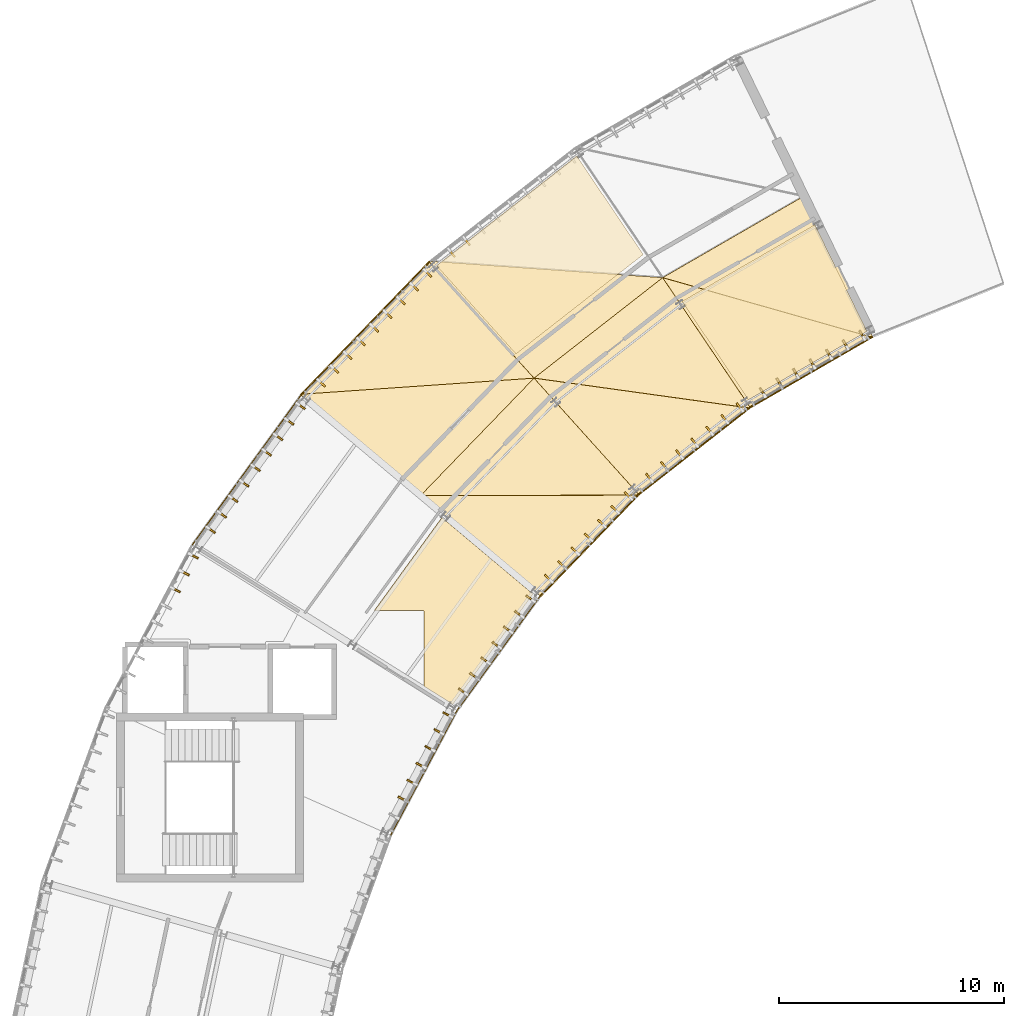
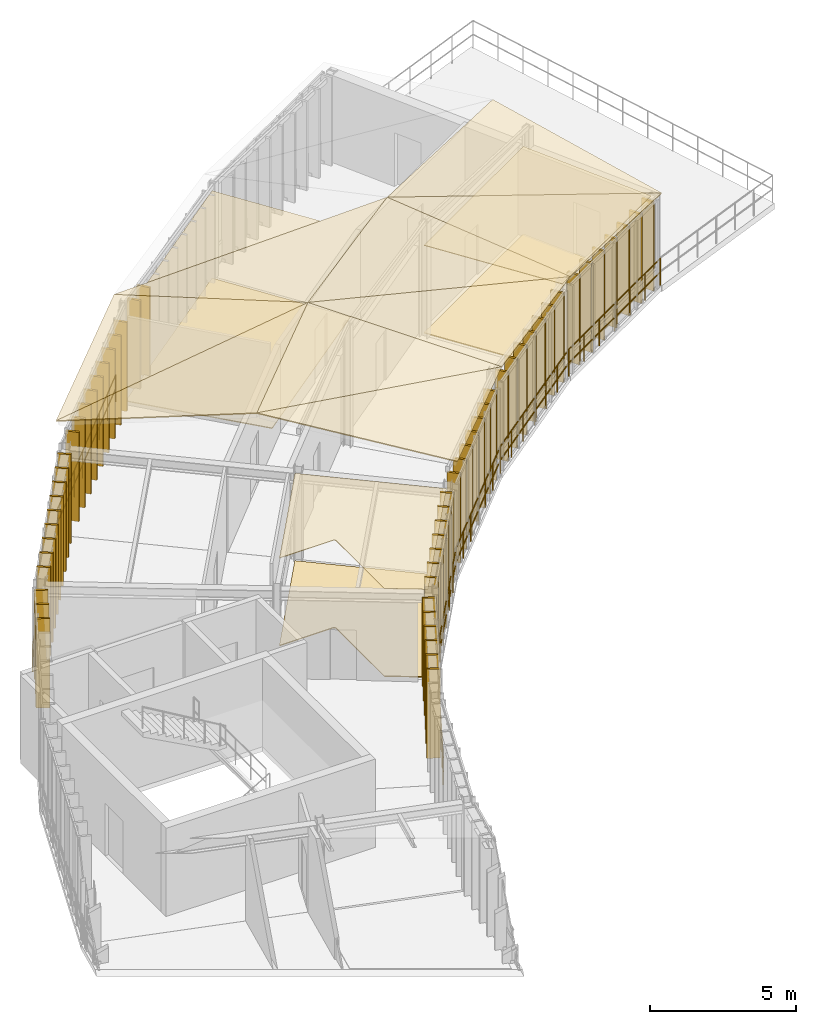
# One storey, part 24 of 25: 72 coverings, 7 railings.
"""IFC4 building model written with IfcOpenShell, lengths in metres."""

from ifc_helpers import new_model, si_unit, direction, frame, origin, origin_2d, place, context, subcontext, project, spatial, polyline, rectangle, circle, outline, extrude, material, layer, layer_set, type_object, element, save


model = new_model("IFC4")

# Units and contexts
model_context = context("Model", 3, precision=1e-05, world=origin(), true_north=direction((0.0, 1.0)))
body_context = subcontext(model_context, "Body", "Model", "MODEL_VIEW")
ifc_project = project(units=[si_unit("LENGTHUNIT", "METRE"), si_unit("AREAUNIT", "SQUARE_METRE"), si_unit("VOLUMEUNIT", "CUBIC_METRE"), si_unit("PLANEANGLEUNIT", "RADIAN"), si_unit("MASSUNIT", "GRAM", prefix="KILO"), si_unit("THERMODYNAMICTEMPERATUREUNIT", "KELVIN"), si_unit("POWERUNIT", "WATT")], contexts=[model_context])

# Site, building, storey
site_placement = place(None, origin())
site = spatial("IfcSite", under=ifc_project, at=site_placement, CompositionType="ELEMENT")
building_placement = place(site_placement, origin())
building = spatial("IfcBuilding", under=site, at=building_placement, Name="Solvatero Civic Police Headquarters", CompositionType="ELEMENT")
storey_placement = place(building_placement, frame((0.0, 0.0, 25.5)))
storey = spatial("IfcBuildingStorey", under=building, at=storey_placement, Name="L06", CompositionType="ELEMENT", Elevation=25.5)

# Coverings
ifc_material_1 = material(Name="Mineral-Fibre Acoustic Tile", Category="gypsum")
ifc_layer_1 = layer(ifc_material_1, 0.02490234375)
ifc_layer_set_1 = layer_set([ifc_layer_1], Name="Mineral-Fibre Acoustic Tile")
covering_type_1 = type_object("IfcCoveringType", Name="COV-CEIL-AC", PredefinedType="CEILING", material=ifc_layer_set_1)
covering_1_placement = place(storey_placement, frame((0.0, 0.0, 3.675048828125)))
element("IfcCovering", 1, at=covering_1_placement, inside=storey, type_object=covering_type_1, Name="Acoustic Ceiling Deputy Questore Directorate Suite Bay 5", PredefinedType="CEILING", context=body_context, shape_type="SweptSolid", body=[
    extrude(outline(polyline([(68.7333984375, 63.673828125), (65.775634765625, 68.058837890625), (71.68798828125, 71.472412109375), (74.0068359375, 66.718505859375), (68.7333984375, 63.673828125)])), origin(), (0.0, 0.0, 1.0), 0.02490234375),
])
covering_2_placement = place(storey_placement, frame((0.0, 0.0, 3.675048828125)))
element("IfcCovering", 2, at=covering_2_placement, inside=storey, type_object=covering_type_1, Name="Acoustic Ceiling Legal and Disciplinary Review Chamber Bay 6", PredefinedType="CEILING", context=body_context, shape_type="SweptSolid", body=[
    extrude(outline(polyline([(58.4033203125, 65.713623046875), (54.864013671875, 69.64453125), (61.10400390625, 74.519775390625), (64.06201171875, 70.134765625), (58.4033203125, 65.713623046875)])), origin(), (0.0, 0.0, 1.0), 0.02490234375),
])
covering_3_placement = place(storey_placement, frame((0.0, 0.0, 3.675048828125)))
element("IfcCovering", 3, at=covering_3_placement, inside=storey, type_object=covering_type_1, Name="Acoustic Ceiling Deputy Questore Directorate Suite Bay 8", PredefinedType="CEILING", context=body_context, shape_type="SweptSolid", body=[
    extrude(outline(polyline([(55.110107421875, 58.449951171875), (59.161865234375, 55.0498046875), (55.594482421875, 50.139892578125), (54.320068359375, 50.936279296875), (54.320068359375, 54.239990234375), (54.319580078125, 54.247802734375), (54.318603515625, 54.255615234375), (54.316650390625, 54.26318359375), (54.31396484375, 54.2705078125), (54.310546875, 54.277587890625), (54.306396484375, 54.284423828125), (54.3017578125, 54.290771484375), (54.296630859375, 54.296630859375), (54.290771484375, 54.3017578125), (54.284423828125, 54.306396484375), (54.277587890625, 54.310546875), (54.2705078125, 54.31396484375), (54.26318359375, 54.316650390625), (54.255615234375, 54.318603515625), (54.247802734375, 54.319580078125), (54.239990234375, 54.320068359375), (52.109375, 54.320068359375), (55.110107421875, 58.449951171875)])), origin(), (0.0, 0.0, 1.0), 0.02490234375),
])
ifc_material_2 = material(Name="Anodized Bronze Aluminium", Category="aluminium")
ifc_layer_2 = layer(ifc_material_2, 0.080078125)
ifc_layer_set_2 = layer_set([ifc_layer_2], Name="Anodized Bronze Aluminium")
covering_type_2 = type_object("IfcCoveringType", Name="COV-FIN-480", PredefinedType="CLADDING", material=ifc_layer_set_2)
for number, where, z_axis, x_axis, name in (
    (4, (73.7919921875, 66.548583984375, -0.02001953125), (0.0, 0.0, 1.0), (-0.866025403784, -0.5, 0.0), "Vertical Brise-Soleil Fin 1227"),
    (5, (73.055908203125, 66.12353515625, -0.02001953125), (0.0, 0.0, 1.0), (-0.866025403784, -0.5, 0.0), "Vertical Brise-Soleil Fin 1228"),
    (6, (72.319580078125, 65.698486328125, -0.02001953125), (0.0, 0.0, 1.0), (-0.866025403784, -0.5, 0.0), "Vertical Brise-Soleil Fin 1229"),
    (7, (71.58349609375, 65.273681640625, -0.02001953125), (0.0, 0.0, 1.0), (-0.866025403784, -0.5, 0.0), "Vertical Brise-Soleil Fin 1230"),
    (8, (70.847412109375, 64.8486328125, -0.02001953125), (0.0, 0.0, 1.0), (-0.866025403784, -0.5, 0.0), "Vertical Brise-Soleil Fin 1231"),
    (9, (70.111328125, 64.423583984375, -0.02001953125), (0.0, 0.0, 1.0), (-0.866025403784, -0.5, 0.0), "Vertical Brise-Soleil Fin 1232"),
    (10, (69.375244140625, 63.99853515625, -0.02001953125), (0.0, 0.0, 1.0), (-0.866025403784, -0.5, 0.0), "Vertical Brise-Soleil Fin 1233"),
    (11, (56.203125, 70.7412109375, -0.02001953125), (0.0, 0.0, 1.0), (-0.788010753607, -0.615661475326, 0.0), "Vertical Brise-Soleil Fin 1241"),
    (12, (55.533447265625, 70.218017578125, -0.02001953125), (0.0, 0.0, 1.0), (-0.788010753607, -0.615661475326, 0.0), "Vertical Brise-Soleil Fin 1242"),
    (13, (68.35302734375, 63.34765625, -0.02001953125), (0.0, 0.0, 1.0), (-0.788010753607, -0.615661475326, 0.0), "Vertical Brise-Soleil Fin 1243"),
    (14, (67.683349609375, 62.82421875, -0.02001953125), (0.0, 0.0, 1.0), (-0.788010753607, -0.615661475326, 0.0), "Vertical Brise-Soleil Fin 1244"),
    (15, (67.013427734375, 62.301025390625, -0.02001953125), (0.0, 0.0, 1.0), (-0.788010753607, -0.615661475326, 0.0), "Vertical Brise-Soleil Fin 1245"),
    (16, (66.34375, 61.777587890625, -0.02001953125), (0.0, 0.0, 1.0), (-0.788010753607, -0.615661475326, 0.0), "Vertical Brise-Soleil Fin 1246"),
    (17, (65.673828125, 61.25439453125, -0.02001953125), (0.0, 0.0, 1.0), (-0.788010753607, -0.615661475326, 0.0), "Vertical Brise-Soleil Fin 1247"),
    (18, (65.004150390625, 60.731201171875, -0.02001953125), (0.0, 0.0, 1.0), (-0.788010753607, -0.615661475326, 0.0), "Vertical Brise-Soleil Fin 1248"),
    (19, (64.334228515625, 60.207763671875, -0.02001953125), (0.0, 0.0, 1.0), (-0.788010753607, -0.615661475326, 0.0), "Vertical Brise-Soleil Fin 1249"),
    (20, (54.470458984375, 69.318359375, -0.02001953125), (0.0, 0.0, 1.0), (-0.694658370459, -0.719339800339, 0.0), "Vertical Brise-Soleil Fin 1250"),
    (21, (53.880126953125, 68.706787109375, -0.02001953125), (0.0, 0.0, 1.0), (-0.694658370459, -0.719339800339, 0.0), "Vertical Brise-Soleil Fin 1251"),
    (22, (53.28955078125, 68.095458984375, -0.02001953125), (0.0, 0.0, 1.0), (-0.694658370459, -0.719339800339, 0.0), "Vertical Brise-Soleil Fin 1252"),
    (23, (52.69921875, 67.48388671875, -0.02001953125), (0.0, 0.0, 1.0), (-0.694658370459, -0.719339800339, 0.0), "Vertical Brise-Soleil Fin 1253"),
    (24, (52.108642578125, 66.87255859375, -0.02001953125), (0.0, 0.0, 1.0), (-0.694658370459, -0.719339800339, 0.0), "Vertical Brise-Soleil Fin 1254"),
    (25, (51.518310546875, 66.260986328125, -0.02001953125), (0.0, 0.0, 1.0), (-0.694658370459, -0.719339800339, 0.0), "Vertical Brise-Soleil Fin 1255"),
    (26, (50.927734375, 65.649658203125, -0.02001953125), (0.0, 0.0, 1.0), (-0.694658370459, -0.719339800339, 0.0), "Vertical Brise-Soleil Fin 1256"),
    (27, (50.33740234375, 65.038330078125, -0.02001953125), (0.0, 0.0, 1.0), (-0.694658370459, -0.719339800339, 0.0), "Vertical Brise-Soleil Fin 1257"),
    (28, (49.746826171875, 64.4267578125, -0.02001953125), (0.0, 0.0, 1.0), (-0.694658370459, -0.719339800339, 0.0), "Vertical Brise-Soleil Fin 1258"),
    (29, (63.39794921875, 59.407470703125, -0.02001953125), (0.0, 0.0, 1.0), (-0.694645815505, -0.719351924305, 0.0), "Vertical Brise-Soleil Fin 1259"),
    (30, (62.807373046875, 58.796142578125, -0.02001953125), (0.0, 0.0, 1.0), (-0.694645815505, -0.719351924305, 0.0), "Vertical Brise-Soleil Fin 1260"),
    (31, (62.217041015625, 58.1845703125, -0.02001953125), (0.0, 0.0, 1.0), (-0.694645815505, -0.719351924305, 0.0), "Vertical Brise-Soleil Fin 1261"),
    (32, (61.62646484375, 57.5732421875, -0.02001953125), (0.0, 0.0, 1.0), (-0.694645815505, -0.719351924305, 0.0), "Vertical Brise-Soleil Fin 1262"),
    (33, (61.0361328125, 56.961669921875, -0.02001953125), (0.0, 0.0, 1.0), (-0.694645815505, -0.719351924305, 0.0), "Vertical Brise-Soleil Fin 1263"),
    (34, (60.445556640625, 56.350341796875, -0.02001953125), (0.0, 0.0, 1.0), (-0.694645815505, -0.719351924305, 0.0), "Vertical Brise-Soleil Fin 1264"),
    (35, (59.855224609375, 55.739013671875, -0.02001953125), (0.0, 0.0, 1.0), (-0.694645815505, -0.719351924305, 0.0), "Vertical Brise-Soleil Fin 1265"),
    (36, (48.83251953125, 63.403564453125, -0.02001953125), (0.0, 0.0, 1.0), (-0.587785252292, -0.809016994375, 0.0), "Vertical Brise-Soleil Fin 1266"),
    (37, (48.332763671875, 62.7158203125, -0.02001953125), (0.0, 0.0, 1.0), (-0.587785252292, -0.809016994375, 0.0), "Vertical Brise-Soleil Fin 1267"),
    (38, (47.833251953125, 62.028076171875, -0.02001953125), (0.0, 0.0, 1.0), (-0.587785252292, -0.809016994375, 0.0), "Vertical Brise-Soleil Fin 1268"),
    (39, (47.33349609375, 61.340576171875, -0.02001953125), (0.0, 0.0, 1.0), (-0.587785252292, -0.809016994375, 0.0), "Vertical Brise-Soleil Fin 1269"),
    (40, (46.833984375, 60.65283203125, -0.02001953125), (0.0, 0.0, 1.0), (-0.587785252292, -0.809016994375, 0.0), "Vertical Brise-Soleil Fin 1270"),
    (41, (46.334228515625, 59.965087890625, -0.02001953125), (0.0, 0.0, 1.0), (-0.587785252292, -0.809016994375, 0.0), "Vertical Brise-Soleil Fin 1271"),
    (42, (45.834716796875, 59.277587890625, -0.02001953125), (0.0, 0.0, 1.0), (-0.587785252292, -0.809016994375, 0.0), "Vertical Brise-Soleil Fin 1272"),
    (43, (45.335205078125, 58.58984375, -0.02001953125), (0.0, 0.0, 1.0), (-0.587785252292, -0.809016994375, 0.0), "Vertical Brise-Soleil Fin 1273"),
    (44, (44.83544921875, 57.902099609375, -0.02001953125), (0.0, 0.0, 1.0), (-0.587785252292, -0.809016994375, 0.0), "Vertical Brise-Soleil Fin 1274"),
    (45, (59.05224609375, 54.83154296875, -0.02001953125), (0.0, 0.0, 1.0), (-0.587785252292, -0.809016994375, 0.0), "Vertical Brise-Soleil Fin 1275"),
    (46, (58.552490234375, 54.143798828125, -0.02001953125), (0.0, 0.0, 1.0), (-0.587785252292, -0.809016994375, 0.0), "Vertical Brise-Soleil Fin 1276"),
    (47, (58.052978515625, 53.456298828125, -0.02001953125), (0.0, 0.0, 1.0), (-0.587785252292, -0.809016994375, 0.0), "Vertical Brise-Soleil Fin 1277"),
    (48, (57.553466796875, 52.7685546875, -0.02001953125), (0.0, 0.0, 1.0), (-0.587785252292, -0.809016994375, 0.0), "Vertical Brise-Soleil Fin 1278"),
    (49, (57.0537109375, 52.080810546875, -0.02001953125), (0.0, 0.0, 1.0), (-0.587785252292, -0.809016994375, 0.0), "Vertical Brise-Soleil Fin 1279"),
    (50, (56.55419921875, 51.393310546875, -0.02001953125), (0.0, 0.0, 1.0), (-0.587785252292, -0.809016994375, 0.0), "Vertical Brise-Soleil Fin 1280"),
    (51, (56.054443359375, 50.70556640625, -0.02001953125), (0.0, 0.0, 1.0), (-0.587785252292, -0.809016994375, 0.0), "Vertical Brise-Soleil Fin 1281"),
    (52, (44.061767578125, 56.74462890625, -0.02001953125), (0.0, 0.0, 1.0), (-0.469471562786, -0.882947592859, 0.0), "Vertical Brise-Soleil Fin 1282"),
    (53, (43.66259765625, 55.994140625, -0.02001953125), (0.0, 0.0, 1.0), (-0.469471562786, -0.882947592859, 0.0), "Vertical Brise-Soleil Fin 1283"),
    (54, (43.263671875, 55.24365234375, -0.02001953125), (0.0, 0.0, 1.0), (-0.469471562786, -0.882947592859, 0.0), "Vertical Brise-Soleil Fin 1284"),
    (55, (55.375, 49.67822265625, -0.02001953125), (0.0, 0.0, 1.0), (-0.469486973057, -0.8829393989, 0.0), "Vertical Brise-Soleil Fin 1291"),
    (56, (54.97607421875, 48.927734375, -0.02001953125), (0.0, 0.0, 1.0), (-0.469486973057, -0.8829393989, 0.0), "Vertical Brise-Soleil Fin 1292"),
    (57, (54.576904296875, 48.17724609375, -0.02001953125), (0.0, 0.0, 1.0), (-0.469486973057, -0.8829393989, 0.0), "Vertical Brise-Soleil Fin 1293"),
    (58, (54.177978515625, 47.4267578125, -0.02001953125), (0.0, 0.0, 1.0), (-0.469486973057, -0.8829393989, 0.0), "Vertical Brise-Soleil Fin 1294"),
    (59, (53.77880859375, 46.67626953125, -0.02001953125), (0.0, 0.0, 1.0), (-0.469486973057, -0.8829393989, 0.0), "Vertical Brise-Soleil Fin 1295"),
    (60, (53.3798828125, 45.92578125, -0.02001953125), (0.0, 0.0, 1.0), (-0.469486973057, -0.8829393989, 0.0), "Vertical Brise-Soleil Fin 1296"),
):
    element("IfcCovering", number, at=place(storey_placement, frame(where, z_axis=z_axis, x_axis=x_axis)), inside=storey, type_object=covering_type_2, Name=name, PredefinedType="CLADDING", context=body_context, shape_type="SweptSolid", body=[
        extrude(rectangle(XDim=0.080078125, YDim=0.47998046875, at=origin_2d()), origin(), (0.0, 0.0, 1.0), 3.739990234375),
    ])
ifc_material_3 = material(Name="Venetian Terrazzo Stone", Category="masonry")
ifc_layer_3 = layer(ifc_material_3, 0.034912109375)
ifc_layer_set_3 = layer_set([ifc_layer_3], Name="Venetian Terrazzo Stone")
covering_type_3 = type_object("IfcCoveringType", Name="COV-FLR-TER", PredefinedType="FLOORING", material=ifc_layer_set_3)
covering_4_placement = place(storey_placement, origin())
element("IfcCovering", 61, at=covering_4_placement, inside=storey, type_object=covering_type_3, Name="Flooring Deputy Questore Directorate Suite Bay 5", PredefinedType="FLOORING", context=body_context, shape_type="SweptSolid", body=[
    extrude(outline(polyline([(68.7333984375, 63.673828125), (65.775634765625, 68.058837890625), (71.68798828125, 71.472412109375), (74.0068359375, 66.718505859375), (68.7333984375, 63.673828125)])), origin(), (0.0, 0.0, 1.0), 0.034912109375),
])
covering_5_placement = place(storey_placement, origin())
element("IfcCovering", 62, at=covering_5_placement, inside=storey, type_object=covering_type_3, Name="Flooring Legal and Disciplinary Review Chamber Bay 6", PredefinedType="FLOORING", context=body_context, shape_type="SweptSolid", body=[
    extrude(outline(polyline([(58.4033203125, 65.713623046875), (54.864013671875, 69.64453125), (61.10400390625, 74.519775390625), (64.06201171875, 70.134765625), (58.4033203125, 65.713623046875)])), origin(), (0.0, 0.0, 1.0), 0.034912109375),
])
covering_6_placement = place(storey_placement, origin())
element("IfcCovering", 63, at=covering_6_placement, inside=storey, type_object=covering_type_3, Name="Flooring Deputy Questore Directorate Suite Bay 8", PredefinedType="FLOORING", context=body_context, shape_type="SweptSolid", body=[
    extrude(outline(polyline([(55.110107421875, 58.449951171875), (59.161865234375, 55.0498046875), (55.594482421875, 50.139892578125), (54.320068359375, 50.936279296875), (54.320068359375, 54.239990234375), (54.319580078125, 54.247802734375), (54.318603515625, 54.255615234375), (54.316650390625, 54.26318359375), (54.31396484375, 54.2705078125), (54.310546875, 54.277587890625), (54.306396484375, 54.284423828125), (54.3017578125, 54.290771484375), (54.296630859375, 54.296630859375), (54.290771484375, 54.3017578125), (54.284423828125, 54.306396484375), (54.277587890625, 54.310546875), (54.2705078125, 54.31396484375), (54.26318359375, 54.316650390625), (54.255615234375, 54.318603515625), (54.247802734375, 54.319580078125), (54.239990234375, 54.320068359375), (52.109375, 54.320068359375), (55.110107421875, 58.449951171875)])), origin(), (0.0, 0.0, 1.0), 0.034912109375),
])
ifc_layer_4 = layer(ifc_material_2, 0.0400390625)
ifc_layer_set_4 = layer_set([ifc_layer_4], Name="Anodized Bronze Aluminium")
covering_type_4 = type_object("IfcCoveringType", Name="COV-RF-ZINC", PredefinedType="ROOFING", material=ifc_layer_set_4)
covering_7_placement = place(storey_placement, frame((74.273193359375, 66.44580078125, 3.889892578125), z_axis=(0.119910802331, -0.126232449561, 0.984726747967), x_axis=(-0.432274159162, 0.886284118195, 0.16625135535)))
element("IfcCovering", 64, at=covering_7_placement, inside=storey, type_object=covering_type_4, Name="Operations Arc Standing-Seam Roof Covering B5 IN1", PredefinedType="ROOFING", context=body_context, shape_type="SweptSolid", body=[
    extrude(outline(polyline([(0.0, 0.0), (7.098743819374958, 2.1510571102112408e-16), (6.649649754288144, 7.246677994732787), (0.0, 0.0)])), origin(), (0.0, 0.0, -1.0), 0.0400390625),
])
covering_8_placement = place(storey_placement, frame((74.273193359375, 66.44580078125, 3.889892578125), z_axis=(0.122418843288, -0.117836310743, 0.985458386071), x_axis=(-0.950771177638, 0.270893578966, 0.150501948985)))
element("IfcCovering", 65, at=covering_8_placement, inside=storey, type_object=covering_type_4, Name="Operations Arc Standing-Seam Roof Covering B5 IN2", PredefinedType="ROOFING", context=body_context, shape_type="SweptSolid", body=[
    extrude(outline(polyline([(0.0, 0.0), (9.835252097127393, 8.187894806610529e-16), (4.364133638415192, 4.523249915903886), (0.0, 0.0)])), origin(), (0.0, 0.0, -1.0), 0.0400390625),
])
covering_9_placement = place(storey_placement, frame((68.836181640625, 63.306640625, 4.18994140625), z_axis=(0.136281330762, -0.108338527445, 0.984728471385), x_axis=(-0.551369786139, 0.817528142858, 0.166250096444)))
element("IfcCovering", 66, at=covering_9_placement, inside=storey, type_object=covering_type_4, Name="Operations Arc Standing-Seam Roof Covering B6 IN1", PredefinedType="ROOFING", context=body_context, shape_type="SweptSolid", body=[
    extrude(outline(polyline([(0.0, 0.0), (7.098797573602582, 1.1796119636642288e-16), (6.649311252033223, 7.247240592160602), (0.0, 0.0)])), origin(), (0.0, 0.0, -1.0), 0.0400390625),
])
covering_10_placement = place(storey_placement, frame((68.836181640625, 63.306640625, 4.18994140625), z_axis=(0.137604999208, -0.099618097418, 0.985464915083), x_axis=(-0.979224690442, 0.135928272069, 0.150474285114)))
element("IfcCovering", 67, at=covering_10_placement, inside=storey, type_object=covering_type_4, Name="Operations Arc Standing-Seam Roof Covering B6 IN2", PredefinedType="ROOFING", context=body_context, shape_type="SweptSolid", body=[
    extrude(outline(polyline([(0.0, 0.0), (9.835437780143597, 4.163336342344337e-17), (4.364000584823003, 4.523116904908954), (0.0, 0.0)])), origin(), (0.0, 0.0, -1.0), 0.0400390625),
])
covering_11_placement = place(storey_placement, frame((64.922119140625, 69.110107421875, 5.3701171875), z_axis=(-0.072128232542, 0.158419243258, 0.984733903873), x_axis=(-0.993975268249, 0.070274952067, -0.084110624901)))
element("IfcCovering", 68, at=covering_11_placement, inside=storey, type_object=covering_type_4, Name="Operations Arc Standing-Seam Roof Covering B6 OUT2", PredefinedType="ROOFING", context=body_context, shape_type="SweptSolid", body=[
    extrude(outline(polyline([(0.0, 0.0), (10.463921224692228, 5.551115123125783e-17), (5.343493838168822, 4.916462931355237), (0.0, 0.0)])), origin(), (0.0, 0.0, -1.0), 0.0400390625),
])
covering_12_placement = place(storey_placement, frame((63.88916015625, 59.44140625, 4.489990234375), z_axis=(0.150033083225, -0.088261776962, 0.984733432288), x_axis=(-0.659826655368, 0.732804460158, 0.16621193711)))
element("IfcCovering", 69, at=covering_12_placement, inside=storey, type_object=covering_type_4, Name="Operations Arc Standing-Seam Roof Covering B7 IN1", PredefinedType="ROOFING", context=body_context, shape_type="SweptSolid", body=[
    extrude(outline(polyline([(0.0, 0.0), (7.098958481200662, 7.28583859910259e-16), (6.649754655100047, 7.246768938254773), (0.0, 0.0)])), origin(), (0.0, 0.0, -1.0), 0.0400390625),
])
covering_13_placement = place(storey_placement, frame((63.88916015625, 59.44140625, 4.489990234375), z_axis=(0.150129639184, -0.07950209386, 0.985464615555), x_axis=(-0.988612413281, -0.001663118781, 0.150475015676)))
element("IfcCovering", 70, at=covering_13_placement, inside=storey, type_object=covering_type_4, Name="Operations Arc Standing-Seam Roof Covering B7 IN2", PredefinedType="ROOFING", context=body_context, shape_type="SweptSolid", body=[
    extrude(outline(polyline([(0.0, 0.0), (9.835390028742072, 1.3877787807814457e-17), (4.3640824472448605, 4.523178791598147), (0.0, 0.0)])), origin(), (0.0, 0.0, -1.0), 0.0400390625),
])
covering_14_placement = place(storey_placement, frame((59.205078125, 64.6435546875, 5.669921875), z_axis=(-0.093054092676, 0.13981811544, 0.985795024552), x_axis=(-0.65982386593, 0.732805166086, -0.166219898047)))
element("IfcCovering", 71, at=covering_14_placement, inside=storey, type_object=covering_type_4, Name="Operations Arc Standing-Seam Roof Covering B7 OUT1", PredefinedType="ROOFING", context=body_context, shape_type="SweptSolid", body=[
    extrude(outline(polyline([(0.0, 0.0), (7.098618483624054, 1.6306400674181987e-16), (6.4826028091734464, 8.213435662246395), (0.0, 0.0)])), origin(), (0.0, 0.0, -1.0), 0.0400390625),
])
covering_15_placement = place(storey_placement, frame((59.205078125, 64.6435546875, 5.669921875), z_axis=(-0.093451085427, 0.146861307266, 0.984732781551), x_axis=(-0.994086041369, -0.068714549744, -0.084090742708)))
element("IfcCovering", 72, at=covering_15_placement, inside=storey, type_object=covering_type_4, Name="Operations Arc Standing-Seam Roof Covering B7 OUT2", PredefinedType="ROOFING", context=body_context, shape_type="SweptSolid", body=[
    extrude(outline(polyline([(0.0, 0.0), (10.463491986873423, 2.7755575615628914e-17), (5.342860341278411, 4.916430361088416), (0.0, 0.0)])), origin(), (0.0, 0.0, -1.0), 0.0400390625),
])

# Railings
ifc_material_4 = material(Name="Anodized Bronze and Laminated Glass", Category="glass")
railing_type = type_object("IfcRailingType", Name="RL-BAL-115", PredefinedType="BALUSTRADE", material=ifc_material_4)
railing_1_placement = place(storey_placement, frame((74.2470703125, 66.499755859375, 0.0)))
element("IfcRailing", 73, at=railing_1_placement, inside=storey, type_object=railing_type, Name="Glazed Facade Sill Balustrade RL-L06-ARCIN-B05", PredefinedType="BALUSTRADE", context=body_context, shape_type="SweptSolid", body=[
    extrude(circle(Radius=0.02392578125, at=origin_2d()), frame((0.0, 0.0, 1.1259765625), z_axis=(-0.866023907196, -0.500002592159, 0.0), x_axis=(0.500002592159, -0.866023907196, 0.0)), (0.0, 0.0, 1.0), 6.28662109375),
    extrude(circle(Radius=0.02392578125, at=origin_2d()), frame((0.0, 0.0, 0.55078125), z_axis=(-0.866023907196, -0.500002592159, 0.0), x_axis=(0.500002592159, -0.866023907196, 0.0)), (0.0, 0.0, 1.0), 6.28662109375),
    extrude(circle(Radius=0.02099609375, at=origin_2d()), origin(), (0.0, 0.0, 1.0), 1.101806640625),
    extrude(circle(Radius=0.02099609375, at=origin_2d()), frame((-0.907470703125, -0.52392578125, 0.0)), (0.0, 0.0, 1.0), 1.101806640625),
    extrude(circle(Radius=0.02099609375, at=origin_2d()), frame((-1.814697265625, -1.0478515625, 0.0)), (0.0, 0.0, 1.0), 1.101806640625),
    extrude(circle(Radius=0.02099609375, at=origin_2d()), frame((-2.72216796875, -1.57177734375, 0.0)), (0.0, 0.0, 1.0), 1.101806640625),
    extrude(circle(Radius=0.02099609375, at=origin_2d()), frame((-3.629638671875, -2.095458984375, 0.0)), (0.0, 0.0, 1.0), 1.101806640625),
    extrude(circle(Radius=0.02099609375, at=origin_2d()), frame((-4.536865234375, -2.619384765625, 0.0)), (0.0, 0.0, 1.0), 1.101806640625),
    extrude(circle(Radius=0.02099609375, at=origin_2d()), frame((-5.4443359375, -3.143310546875, 0.0)), (0.0, 0.0, 1.0), 1.101806640625),
])
railing_2_placement = place(storey_placement, frame((68.802734375, 63.3564453125, 0.0)))
element("IfcRailing", 74, at=railing_2_placement, inside=storey, type_object=railing_type, Name="Glazed Facade Sill Balustrade RL-L06-ARCIN-B06", PredefinedType="BALUSTRADE", context=body_context, shape_type="SweptSolid", body=[
    extrude(circle(Radius=0.02392578125, at=origin_2d()), frame((0.0, 0.0, 1.1259765625), z_axis=(-0.787997288522, -0.61567870946, 0.0), x_axis=(0.61567870946, -0.787997288522, 0.0)), (0.0, 0.0, 1.0), 6.286376953125),
    extrude(circle(Radius=0.02392578125, at=origin_2d()), frame((0.0, 0.0, 0.55078125), z_axis=(-0.787997288522, -0.61567870946, 0.0), x_axis=(0.61567870946, -0.787997288522, 0.0)), (0.0, 0.0, 1.0), 6.286376953125),
    extrude(circle(Radius=0.02099609375, at=origin_2d()), origin(), (0.0, 0.0, 1.0), 1.101806640625),
    extrude(circle(Radius=0.02099609375, at=origin_2d()), frame((-0.82568359375, -0.64501953125, 0.0)), (0.0, 0.0, 1.0), 1.101806640625),
    extrude(circle(Radius=0.02099609375, at=origin_2d()), frame((-1.651123046875, -1.2900390625, 0.0)), (0.0, 0.0, 1.0), 1.101806640625),
    extrude(circle(Radius=0.02099609375, at=origin_2d()), frame((-2.476806640625, -1.93505859375, 0.0)), (0.0, 0.0, 1.0), 1.101806640625),
    extrude(circle(Radius=0.02099609375, at=origin_2d()), frame((-3.302490234375, -2.580322265625, 0.0)), (0.0, 0.0, 1.0), 1.101806640625),
    extrude(circle(Radius=0.02099609375, at=origin_2d()), frame((-4.1279296875, -3.225341796875, 0.0)), (0.0, 0.0, 1.0), 1.101806640625),
    extrude(circle(Radius=0.02099609375, at=origin_2d()), frame((-4.95361328125, -3.870361328125, 0.0)), (0.0, 0.0, 1.0), 1.101806640625),
])
railing_3_placement = place(storey_placement, frame((63.84912109375, 59.486083984375, 0.0)))
element("IfcRailing", 75, at=railing_3_placement, inside=storey, type_object=railing_type, Name="Glazed Facade Sill Balustrade RL-L06-ARCIN-B07", PredefinedType="BALUSTRADE", context=body_context, shape_type="SweptSolid", body=[
    extrude(circle(Radius=0.02392578125, at=origin_2d()), frame((0.0, 0.0, 1.1259765625), z_axis=(-0.694688764394, -0.719310448016, 0.0), x_axis=(0.719310448016, -0.694688764394, 0.0)), (0.0, 0.0, 1.0), 6.28662109375),
    extrude(circle(Radius=0.02392578125, at=origin_2d()), frame((0.0, 0.0, 0.55078125), z_axis=(-0.694688764394, -0.719310448016, 0.0), x_axis=(0.719310448016, -0.694688764394, 0.0)), (0.0, 0.0, 1.0), 6.28662109375),
    extrude(circle(Radius=0.02099609375, at=origin_2d()), origin(), (0.0, 0.0, 1.0), 1.101806640625),
    extrude(circle(Radius=0.02099609375, at=origin_2d()), frame((-0.727783203125, -0.753662109375, 0.0)), (0.0, 0.0, 1.0), 1.101806640625),
    extrude(circle(Radius=0.02099609375, at=origin_2d()), frame((-1.455810546875, -1.50732421875, 0.0)), (0.0, 0.0, 1.0), 1.101806640625),
    extrude(circle(Radius=0.02099609375, at=origin_2d()), frame((-2.18359375, -2.260986328125, 0.0)), (0.0, 0.0, 1.0), 1.101806640625),
    extrude(circle(Radius=0.02099609375, at=origin_2d()), frame((-2.911376953125, -3.0146484375, 0.0)), (0.0, 0.0, 1.0), 1.101806640625),
    extrude(circle(Radius=0.02099609375, at=origin_2d()), frame((-3.639404296875, -3.768310546875, 0.0)), (0.0, 0.0, 1.0), 1.101806640625),
    extrude(circle(Radius=0.02099609375, at=origin_2d()), frame((-4.3671875, -4.52197265625, 0.0)), (0.0, 0.0, 1.0), 1.101806640625),
])
railing_4_placement = place(storey_placement, frame((54.561279296875, 69.801025390625, 0.0)))
element("IfcRailing", 76, at=railing_4_placement, inside=storey, type_object=railing_type, Name="Glazed Facade Sill Balustrade RL-L06-ARCOUT-B07", PredefinedType="BALUSTRADE", context=body_context, shape_type="SweptSolid", body=[
    extrude(circle(Radius=0.02392578125, at=origin_2d()), frame((0.0, 0.0, 1.1259765625), z_axis=(-0.694647498592, -0.71935029902, 0.0), x_axis=(0.71935029902, -0.694647498592, 0.0)), (0.0, 0.0, 1.0), 8.22265625),
    extrude(circle(Radius=0.02392578125, at=origin_2d()), frame((0.0, 0.0, 0.55078125), z_axis=(-0.694647498592, -0.71935029902, 0.0), x_axis=(0.71935029902, -0.694647498592, 0.0)), (0.0, 0.0, 1.0), 8.22265625),
    extrude(circle(Radius=0.02099609375, at=origin_2d()), origin(), (0.0, 0.0, 1.0), 1.101806640625),
    extrude(circle(Radius=0.02099609375, at=origin_2d()), frame((-0.81591796875, -0.844970703125, 0.0)), (0.0, 0.0, 1.0), 1.101806640625),
    extrude(circle(Radius=0.02099609375, at=origin_2d()), frame((-1.632080078125, -1.68994140625, 0.0)), (0.0, 0.0, 1.0), 1.101806640625),
    extrude(circle(Radius=0.02099609375, at=origin_2d()), frame((-2.447998046875, -2.534912109375, 0.0)), (0.0, 0.0, 1.0), 1.101806640625),
    extrude(circle(Radius=0.02099609375, at=origin_2d()), frame((-3.263916015625, -3.380126953125, 0.0)), (0.0, 0.0, 1.0), 1.101806640625),
    extrude(circle(Radius=0.02099609375, at=origin_2d()), frame((-4.079833984375, -4.22509765625, 0.0)), (0.0, 0.0, 1.0), 1.101806640625),
    extrude(circle(Radius=0.02099609375, at=origin_2d()), frame((-4.89599609375, -5.070068359375, 0.0)), (0.0, 0.0, 1.0), 1.101806640625),
    extrude(circle(Radius=0.02099609375, at=origin_2d()), frame((-5.7119140625, -5.9150390625, 0.0)), (0.0, 0.0, 1.0), 1.101806640625),
])
railing_5_placement = place(storey_placement, frame((59.48193359375, 54.964111328125, 0.0)))
element("IfcRailing", 77, at=railing_5_placement, inside=storey, type_object=railing_type, Name="Glazed Facade Sill Balustrade RL-L06-ARCIN-B08", PredefinedType="BALUSTRADE", context=body_context, shape_type="SweptSolid", body=[
    extrude(circle(Radius=0.02392578125, at=origin_2d()), frame((0.0, 0.0, 1.1259765625), z_axis=(-0.587751344524, -0.809041628725, 0.0), x_axis=(0.809041628725, -0.587751344524, 0.0)), (0.0, 0.0, 1.0), 6.286376953125),
    extrude(circle(Radius=0.02392578125, at=origin_2d()), frame((0.0, 0.0, 0.55078125), z_axis=(-0.587751344524, -0.809041628725, 0.0), x_axis=(0.809041628725, -0.587751344524, 0.0)), (0.0, 0.0, 1.0), 6.286376953125),
    extrude(circle(Radius=0.02099609375, at=origin_2d()), origin(), (0.0, 0.0, 1.0), 1.101806640625),
    extrude(circle(Radius=0.02099609375, at=origin_2d()), frame((-0.61572265625, -0.84765625, 0.0)), (0.0, 0.0, 1.0), 1.101806640625),
    extrude(circle(Radius=0.02099609375, at=origin_2d()), frame((-1.231689453125, -1.6953125, 0.0)), (0.0, 0.0, 1.0), 1.101806640625),
    extrude(circle(Radius=0.02099609375, at=origin_2d()), frame((-1.847412109375, -2.54296875, 0.0)), (0.0, 0.0, 1.0), 1.101806640625),
    extrude(circle(Radius=0.02099609375, at=origin_2d()), frame((-2.463134765625, -3.390625, 0.0)), (0.0, 0.0, 1.0), 1.101806640625),
    extrude(circle(Radius=0.02099609375, at=origin_2d()), frame((-3.0791015625, -4.23828125, 0.0)), (0.0, 0.0, 1.0), 1.101806640625),
    extrude(circle(Radius=0.02099609375, at=origin_2d()), frame((-3.69482421875, -5.0859375, 0.0)), (0.0, 0.0, 1.0), 1.101806640625),
])
railing_6_placement = place(storey_placement, frame((48.849365234375, 63.885986328125, 0.0)))
element("IfcRailing", 78, at=railing_6_placement, inside=storey, type_object=railing_type, Name="Glazed Facade Sill Balustrade RL-L06-ARCOUT-B08", PredefinedType="BALUSTRADE", context=body_context, shape_type="SweptSolid", body=[
    extrude(circle(Radius=0.02392578125, at=origin_2d()), frame((0.0, 0.0, 1.1259765625), z_axis=(-0.587774421673, -0.80902486317, 0.0), x_axis=(0.80902486317, -0.587774421673, 0.0)), (0.0, 0.0, 1.0), 8.222900390625),
    extrude(circle(Radius=0.02392578125, at=origin_2d()), frame((0.0, 0.0, 0.55078125), z_axis=(-0.587774421673, -0.80902486317, 0.0), x_axis=(0.80902486317, -0.587774421673, 0.0)), (0.0, 0.0, 1.0), 8.222900390625),
    extrude(circle(Radius=0.02099609375, at=origin_2d()), origin(), (0.0, 0.0, 1.0), 1.101806640625),
    extrude(circle(Radius=0.02099609375, at=origin_2d()), frame((-0.6904296875, -0.950439453125, 0.0)), (0.0, 0.0, 1.0), 1.101806640625),
    extrude(circle(Radius=0.02099609375, at=origin_2d()), frame((-1.380859375, -1.900634765625, 0.0)), (0.0, 0.0, 1.0), 1.101806640625),
    extrude(circle(Radius=0.02099609375, at=origin_2d()), frame((-2.0712890625, -2.85107421875, 0.0)), (0.0, 0.0, 1.0), 1.101806640625),
    extrude(circle(Radius=0.02099609375, at=origin_2d()), frame((-2.761962890625, -3.801513671875, 0.0)), (0.0, 0.0, 1.0), 1.101806640625),
    extrude(circle(Radius=0.02099609375, at=origin_2d()), frame((-3.452392578125, -4.751953125, 0.0)), (0.0, 0.0, 1.0), 1.101806640625),
    extrude(circle(Radius=0.02099609375, at=origin_2d()), frame((-4.142822265625, -5.7021484375, 0.0)), (0.0, 0.0, 1.0), 1.101806640625),
    extrude(circle(Radius=0.02099609375, at=origin_2d()), frame((-4.833251953125, -6.652587890625, 0.0)), (0.0, 0.0, 1.0), 1.101806640625),
])
railing_7_placement = place(storey_placement, frame((55.787109375, 49.878173828125, 0.0)))
element("IfcRailing", 79, at=railing_7_placement, inside=storey, type_object=railing_type, Name="Glazed Facade Sill Balustrade RL-L06-ARCIN-B09", PredefinedType="BALUSTRADE", context=body_context, shape_type="SweptSolid", body=[
    extrude(circle(Radius=0.02392578125, at=origin_2d()), frame((0.0, 0.0, 1.1259765625), z_axis=(-0.469489306855, -0.882938157941, 0.0), x_axis=(0.882938157941, -0.469489306855, 0.0)), (0.0, 0.0, 1.0), 6.286376953125),
    extrude(circle(Radius=0.02392578125, at=origin_2d()), frame((0.0, 0.0, 0.55078125), z_axis=(-0.469489306855, -0.882938157941, 0.0), x_axis=(0.882938157941, -0.469489306855, 0.0)), (0.0, 0.0, 1.0), 6.286376953125),
    extrude(circle(Radius=0.02099609375, at=origin_2d()), origin(), (0.0, 0.0, 1.0), 1.101806640625),
    extrude(circle(Radius=0.02099609375, at=origin_2d()), frame((-0.491943359375, -0.925048828125, 0.0)), (0.0, 0.0, 1.0), 1.101806640625),
    extrude(circle(Radius=0.02099609375, at=origin_2d()), frame((-0.98388671875, -1.85009765625, 0.0)), (0.0, 0.0, 1.0), 1.101806640625),
    extrude(circle(Radius=0.02099609375, at=origin_2d()), frame((-1.4755859375, -2.775390625, 0.0)), (0.0, 0.0, 1.0), 1.101806640625),
    extrude(circle(Radius=0.02099609375, at=origin_2d()), frame((-1.967529296875, -3.700439453125, 0.0)), (0.0, 0.0, 1.0), 1.101806640625),
    extrude(circle(Radius=0.02099609375, at=origin_2d()), frame((-2.45947265625, -4.62548828125, 0.0)), (0.0, 0.0, 1.0), 1.101806640625),
    extrude(circle(Radius=0.02099609375, at=origin_2d()), frame((-2.951416015625, -5.550537109375, 0.0)), (0.0, 0.0, 1.0), 1.101806640625),
])

save(model, "model.ifc")
